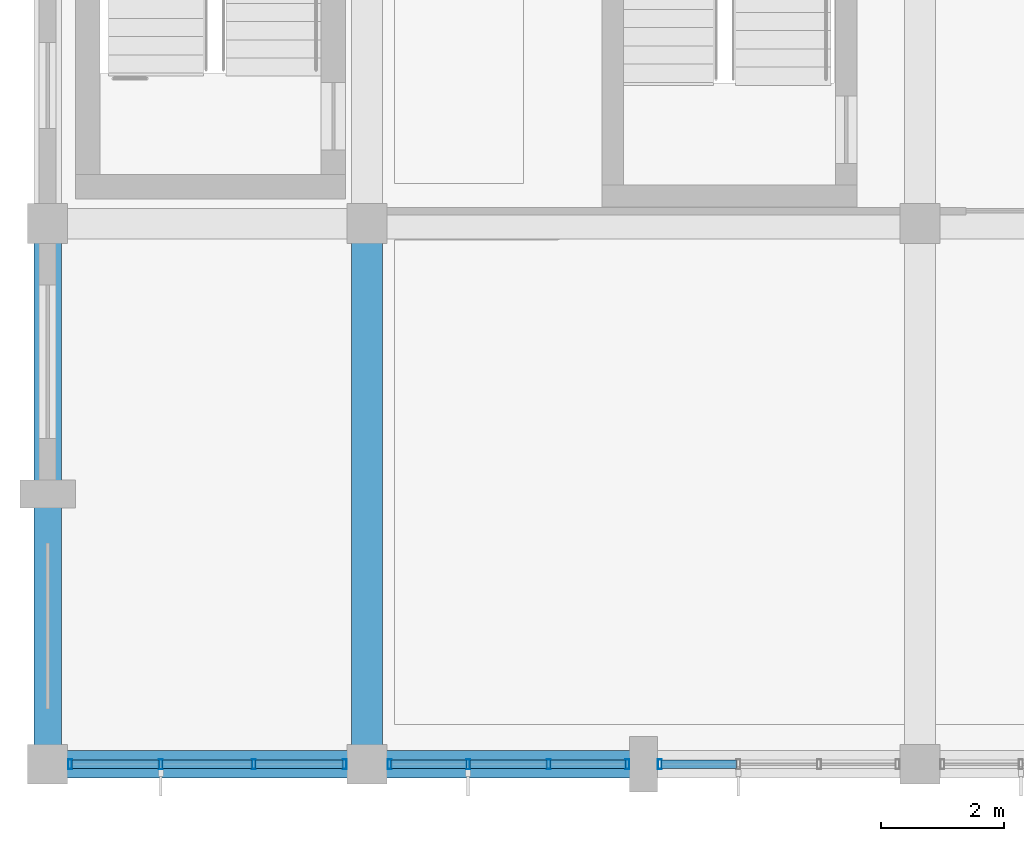
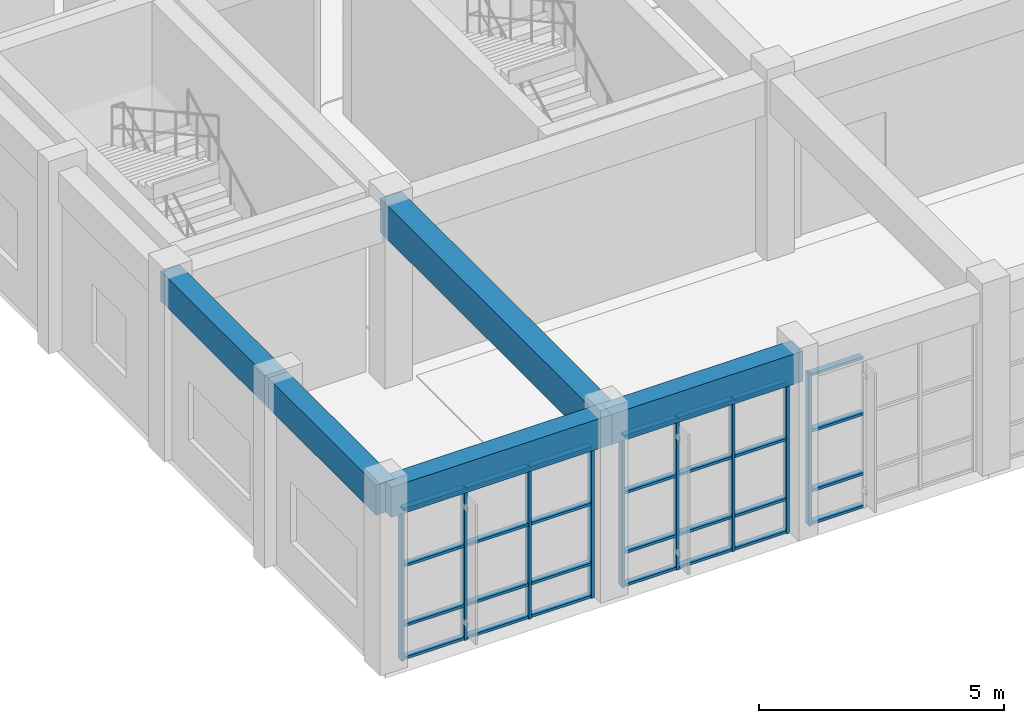
# One storey, part 8 of 104: 37 members, 5 beams, 3 elements without a shape of their own.
"""IFC4 building model written with IfcOpenShell, lengths in metres."""

import ifcopenshell
import ifcopenshell.guid

model = None  # the IFC model being written
_history = None  # IfcOwnerHistory: only IFC2X3 demands one
_inside = {}  # id of a spatial element -> (the spatial element, [elements in it])
_under = {}  # id of a project, library or spatial element -> (it, [spatial elements below it])
_declared = {}  # id of a project -> (the project, [libraries it declares])
_typed = {}  # id of a type object -> (the type object, [elements of that type])
_made_of = {}  # id of a material, layer set ... -> (it, [elements and type objects made of it])


def new_model(schema):
    """Start an empty IFC model of exactly this schema.

    Asked for "IFC4X3", IfcOpenShell would pick the latest addendum, in which some entities
    have other attributes; the version numbers below select the first issue.
    IFC2X3 requires an IfcOwnerHistory on every rooted entity: one is made here for all.
    """
    global model, _history
    if schema == "IFC4X3":
        model = ifcopenshell.file(schema_version=(4, 3, 0, 0))
    else:
        model = ifcopenshell.file(schema=schema)
    _inside.clear()
    _under.clear()
    _declared.clear()
    _typed.clear()
    _made_of.clear()
    _history = None
    if model.schema == "IFC2X3":
        org = make("IfcOrganization", Name="unknown")
        user = make(
            "IfcPersonAndOrganization",
            ThePerson=make("IfcPerson", FamilyName="unknown"),
            TheOrganization=org,
        )
        app = make(
            "IfcApplication",
            ApplicationDeveloper=org,
            Version="unknown",
            ApplicationFullName="unknown",
            ApplicationIdentifier="unknown",
        )
        _history = make(
            "IfcOwnerHistory",
            OwningUser=user,
            OwningApplication=app,
            ChangeAction="ADDED",
            CreationDate=0,
        )
    return model


def make(cls, **values):
    """One entity of the class cls with the attributes given. An attribute that is None is left unset."""
    return model.create_entity(
        cls, **{name: value for name, value in values.items() if value is not None}
    )


def rooted(cls, **values):
    """An entity with a GlobalId (a new one), such as an element, a storey or a relation."""
    return make(cls, GlobalId=ifcopenshell.guid.new(), OwnerHistory=_history, **values)


def si_unit(unit_type, name, prefix=None):
    """IfcSIUnit, for example si_unit("LENGTHUNIT", "METRE", prefix="MILLI")."""
    return make("IfcSIUnit", UnitType=unit_type, Prefix=prefix, Name=name)


def assignment(units):
    """IfcUnitAssignment: the units of a project."""
    return None if units is None else make("IfcUnitAssignment", Units=units)


def point(xyz):
    """IfcCartesianPoint."""
    return None if xyz is None else make("IfcCartesianPoint", Coordinates=xyz)


def direction(xyz):
    """IfcDirection."""
    return None if xyz is None else make("IfcDirection", DirectionRatios=xyz)


def frame(location, z_axis=None, x_axis=None):
    """IfcAxis2Placement3D, a coordinate frame: its origin and axes. An axis left out is left unset."""
    return make(
        "IfcAxis2Placement3D",
        Location=point(location),
        Axis=direction(z_axis),
        RefDirection=direction(x_axis),
    )


def frame_2d(location, x_axis=None):
    """IfcAxis2Placement2D, a coordinate frame in the plane: its origin and x axis."""
    return make(
        "IfcAxis2Placement2D", Location=point(location), RefDirection=direction(x_axis)
    )


def origin():
    """The frame at (0, 0, 0) with its axes left unset."""
    return frame((0.0, 0.0, 0.0))


def origin_2d():
    """The frame at (0, 0) in the plane with its x axis left unset."""
    return frame_2d((0.0, 0.0))


def place(relative_to, where):
    """IfcLocalPlacement: puts the frame where relative to a parent placement (None: the world)."""
    return make(
        "IfcLocalPlacement", PlacementRelTo=relative_to, RelativePlacement=where
    )


def context(
    kind, dimensions, precision=None, world=None, true_north=None, identifier=None
):
    """IfcGeometricRepresentationContext, for example the 3D "Model" context."""
    return make(
        "IfcGeometricRepresentationContext",
        ContextIdentifier=identifier,
        ContextType=kind,
        CoordinateSpaceDimension=dimensions,
        Precision=precision,
        WorldCoordinateSystem=world,
        TrueNorth=true_north,
    )


def subcontext(parent, identifier, kind, view, scale=None):
    """IfcGeometricRepresentationSubContext, for example "Body" below "Model"."""
    return make(
        "IfcGeometricRepresentationSubContext",
        ContextIdentifier=identifier,
        ContextType=kind,
        ParentContext=parent,
        TargetScale=scale,
        TargetView=view,
    )


def project(units=None, contexts=None):
    """IfcProject with its units and contexts."""
    return rooted(
        "IfcProject",
        Name="project",
        RepresentationContexts=contexts,
        UnitsInContext=assignment(units),
    )


def spatial(cls, under=None, at=None, **own):
    """A site, building, storey or space (cls), placed at a placement, below another one or the project."""
    s = rooted(cls, ObjectPlacement=at, **own)
    if under is not None:
        _under.setdefault(under.id(), (under, []))[1].append(s)
    return s


def profile(cls, at=None, kind="AREA", **sizes):
    """A parametric profile (cls). Its sizes go by their IFC names, for example OverallWidth=200.0."""
    return make(cls, ProfileType=kind, Position=at, **sizes)


def rectangle(**sizes):
    """IfcRectangleProfileDef."""
    return profile("IfcRectangleProfileDef", **sizes)


def hollow_rectangle(**sizes):
    """IfcRectangleHollowProfileDef."""
    return profile("IfcRectangleHollowProfileDef", **sizes)


def extrude(swept, where, along, depth):
    """IfcExtrudedAreaSolid: the profile swept, set in the frame where, extruded along a direction by depth."""
    return make(
        "IfcExtrudedAreaSolid",
        SweptArea=swept,
        Position=where,
        ExtrudedDirection=direction(along),
        Depth=depth,
    )


def shape(context_of_items, identifier, shape_type, items):
    """IfcShapeRepresentation: the items that make up one representation, for example the "Body"."""
    return make(
        "IfcShapeRepresentation",
        ContextOfItems=context_of_items,
        RepresentationIdentifier=identifier,
        RepresentationType=shape_type,
        Items=items,
    )


def material(Name=None, Category=None):
    """IfcMaterial."""
    return make("IfcMaterial", Name=Name, Category=Category)


def layer(
    of_material, thickness, ventilated=None, Name=None, Category=None, Priority=None
):
    """IfcMaterialLayer: one layer of a wall or slab, of a material (None: an air gap)."""
    return make(
        "IfcMaterialLayer",
        Material=of_material,
        LayerThickness=thickness,
        IsVentilated=ventilated,
        Name=Name,
        Category=Category,
        Priority=Priority,
    )


def layer_set(layers, Name=None):
    """IfcMaterialLayerSet."""
    return make("IfcMaterialLayerSet", MaterialLayers=layers, LayerSetName=Name)


def material_profile(
    of_material, cross_section, Name=None, Category=None, Priority=None
):
    """IfcMaterialProfile: a cross section and its material."""
    return make(
        "IfcMaterialProfile",
        Name=Name,
        Material=of_material,
        Profile=cross_section,
        Priority=Priority,
        Category=Category,
    )


def profile_set(profiles, Name=None, composite=None):
    """IfcMaterialProfileSet."""
    return make(
        "IfcMaterialProfileSet",
        Name=Name,
        MaterialProfiles=profiles,
        CompositeProfile=composite,
    )


def made_of(thing, what):
    """Note that an element or type object is made of a material, layer set ...; save() writes the relation."""
    if what is not None:
        _made_of.setdefault(what.id(), (what, []))[1].append(thing)
    return thing


def type_object(cls, material=None, **own):
    """A type object (cls), such as IfcWallType, which elements share."""
    return made_of(rooted(cls, **own), material)


def element(
    cls,
    number,
    at=None,
    inside=None,
    cuts=None,
    type_object=None,
    material=None,
    context=None,
    identifier="Body",
    shape_type=None,
    held_by="IfcProductDefinitionShape",
    body=None,
    shapes=None,
    **own,
):
    """One element of the class cls, such as IfcWall. Its Tag is "e" and its number.

    at: its placement. inside: the storey or other place that contains it. cuts: it is an
    opening in that element (IfcRelVoidsElement). A single representation is given by context,
    identifier, shape_type and body (its items); several are given by shapes. held_by: the class
    of the entity that holds the representations. save() writes the other relations.
    """
    e = rooted(cls, Tag="e%d" % number, ObjectPlacement=at, **own)
    if body is not None:
        shapes = [shape(context, identifier, shape_type, body)]
    if shapes is not None:
        e.Representation = make(held_by, Representations=shapes)
    if inside is not None:
        _inside.setdefault(inside.id(), (inside, []))[1].append(e)
    if cuts is not None:
        rooted(
            "IfcRelVoidsElement", RelatingBuildingElement=cuts, RelatedOpeningElement=e
        )
    if type_object is not None:
        _typed.setdefault(type_object.id(), (type_object, []))[1].append(e)
    return made_of(e, material)


def aggregate(whole, parts):
    """IfcRelAggregates: a whole, such as a stair, and the parts it consists of."""
    return rooted("IfcRelAggregates", RelatingObject=whole, RelatedObjects=parts)


def save(model, path):
    """Write the relations noted so far, then the file.

    IfcRelAggregates (storeys below a building ...), IfcRelContainedInSpatialStructure (elements
    in a storey), IfcRelDefinesByType, IfcRelAssociatesMaterial and IfcRelDeclares: one each for
    every whole, place, type object, material and project.
    """
    for whole, parts in _under.values():
        aggregate(whole, parts)
    for where, things in _inside.values():
        rooted(
            "IfcRelContainedInSpatialStructure",
            RelatedElements=things,
            RelatingStructure=where,
        )
    for kind, things in _typed.values():
        rooted("IfcRelDefinesByType", RelatedObjects=things, RelatingType=kind)
    for what, things in _made_of.values():
        rooted("IfcRelAssociatesMaterial", RelatedObjects=things, RelatingMaterial=what)
    for by, libraries in _declared.values():
        rooted("IfcRelDeclares", RelatingContext=by, RelatedDefinitions=libraries)
    model.write(path)


model = new_model("IFC4")

# Units and contexts
model_context = context("Model", 3, precision=1e-05, world=origin(), true_north=direction((0.0, 1.0)))
body_context = subcontext(model_context, "Body", "Model", "MODEL_VIEW")
ifc_project = project(units=[si_unit("LENGTHUNIT", "METRE"), si_unit("AREAUNIT", "SQUARE_METRE"), si_unit("VOLUMEUNIT", "CUBIC_METRE"), si_unit("PLANEANGLEUNIT", "RADIAN"), si_unit("MASSUNIT", "GRAM", prefix="KILO")], contexts=[model_context])

# Site, building, storey
site_placement = place(None, origin())
site = spatial("IfcSite", under=ifc_project, at=site_placement, CompositionType="ELEMENT")
building_placement = place(site_placement, origin())
building = spatial("IfcBuilding", under=site, at=building_placement, Name="Ventoquebrada Cableway Terminal", CompositionType="ELEMENT")
storey_placement = place(building_placement, frame((0.0, 0.0, 4.800048828125)))
storey = spatial("IfcBuildingStorey", under=building, at=storey_placement, Name="L01", CompositionType="ELEMENT", Elevation=4.800048828125)

# Beam
ifc_material_1 = material(Name="Concrete C40/50", Category="concrete")
ifc_material_profile_1 = material_profile(ifc_material_1, rectangle(XDim=0.5, YDim=0.85009765625, at=origin_2d()), Name="RC-BM-500X850")
ifc_profile_set_1 = profile_set([ifc_material_profile_1], Name="Concrete C40/50")
beam_type_1 = type_object("IfcBeamType", Name="BM-RC04", PredefinedType="BEAM", material=ifc_profile_set_1)
beam_1_placement = place(storey_placement, frame((8.199951171875, 3.0, 4.10498046875), z_axis=(0.0, 1.0, 0.0), x_axis=(-1.0, 0.0, 0.0)))
element("IfcBeam", 1, at=beam_1_placement, inside=storey, type_object=beam_type_1, Name="Primary frame girder FBM-0180", PredefinedType="BEAM", context=body_context, shape_type="SweptSolid", body=[
    extrude(rectangle(XDim=0.5, YDim=0.85009765625, at=origin_2d()), origin(), (0.0, 0.0, 1.0), 8.800048828125),
])

# Curtain wall, members
ifc_material_2 = material(Name="Anodized thermally-broken aluminium", Category="aluminium")
ifc_layer_1 = layer(ifc_material_2, 0.159912109375)
ifc_layer_set_1 = layer_set([ifc_layer_1], Name="Anodized thermally-broken aluminium")
curtain_wall_type_1 = type_object("IfcCurtainWallType", Name="CW-T05", PredefinedType="USERDEFINED", material=ifc_layer_set_1)
curtain_wall_1_placement = place(storey_placement, origin())
curtain_wall_1 = element("IfcCurtainWall", 2, at=curtain_wall_1_placement, inside=storey, type_object=curtain_wall_type_1, Name="Unitised glazed curtain wall CW-009", ObjectType="UNITISED CURTAIN WALL", PredefinedType="USERDEFINED")
ifc_material_profile_2 = material_profile(ifc_material_2, hollow_rectangle(XDim=0.06494140625, YDim=0.159912109375, WallThickness=0.00390625, at=origin_2d()), Name="CW-MUL-65X160")
ifc_profile_set_2 = profile_set([ifc_material_profile_2], Name="Anodized thermally-broken aluminium")
member_type_1 = type_object("IfcMemberType", Name="CWM-01", PredefinedType="MULLION", material=ifc_profile_set_2)
member_1_placement = place(storey_placement, frame((3.364990234375, 3.0, -0.008056640625), z_axis=(0.0, 0.0, 1.0), x_axis=(1.0, 0.0, 0.0)))
member_1 = element("IfcMember", 3, at=member_1_placement, type_object=member_type_1, Name="Curtain wall mullion FML-0036", PredefinedType="MULLION", context=body_context, shape_type="SweptSolid", body=[
    extrude(hollow_rectangle(XDim=0.06494140625, YDim=0.159912109375, WallThickness=0.00390625, at=origin_2d()), origin(), (0.0, 0.0, 1.0), 3.7880859375),
])
member_2_placement = place(storey_placement, frame((4.843017578125, 3.0, -0.008056640625), z_axis=(0.0, 0.0, 1.0), x_axis=(1.0, 0.0, 0.0)))
member_2 = element("IfcMember", 4, at=member_2_placement, type_object=member_type_1, Name="Curtain wall mullion FML-0037", PredefinedType="MULLION", context=body_context, shape_type="SweptSolid", body=[
    extrude(hollow_rectangle(XDim=0.06494140625, YDim=0.159912109375, WallThickness=0.00390625, at=origin_2d()), origin(), (0.0, 0.0, 1.0), 3.7880859375),
])
member_3_placement = place(storey_placement, frame((6.35693359375, 3.0, -0.008056640625), z_axis=(0.0, 0.0, 1.0), x_axis=(1.0, 0.0, 0.0)))
member_3 = element("IfcMember", 5, at=member_3_placement, type_object=member_type_1, Name="Curtain wall mullion FML-0038", PredefinedType="MULLION", context=body_context, shape_type="SweptSolid", body=[
    extrude(hollow_rectangle(XDim=0.06494140625, YDim=0.159912109375, WallThickness=0.00390625, at=origin_2d()), origin(), (0.0, 0.0, 1.0), 3.7880859375),
])
member_4_placement = place(storey_placement, frame((7.8349609375, 3.0, -0.008056640625), z_axis=(0.0, 0.0, 1.0), x_axis=(1.0, 0.0, 0.0)))
member_4 = element("IfcMember", 6, at=member_4_placement, type_object=member_type_1, Name="Curtain wall mullion FML-0039", PredefinedType="MULLION", context=body_context, shape_type="SweptSolid", body=[
    extrude(hollow_rectangle(XDim=0.06494140625, YDim=0.159912109375, WallThickness=0.00390625, at=origin_2d()), origin(), (0.0, 0.0, 1.0), 3.7880859375),
])

ifc_layer_2 = layer(ifc_material_2, 0.159912109375)
ifc_layer_set_2 = layer_set([ifc_layer_2], Name="Anodized thermally-broken aluminium")
curtain_wall_type_2 = type_object("IfcCurtainWallType", Name="CW-T06", PredefinedType="USERDEFINED", material=ifc_layer_set_2)
curtain_wall_2_placement = place(storey_placement, origin())
curtain_wall_2 = element("IfcCurtainWall", 7, at=curtain_wall_2_placement, inside=storey, type_object=curtain_wall_type_2, Name="Unitised glazed curtain wall CW-010", ObjectType="UNITISED CURTAIN WALL", PredefinedType="USERDEFINED")
member_5_placement = place(storey_placement, frame((8.56494140625, 3.0, -0.008056640625), z_axis=(0.0, 0.0, 1.0), x_axis=(1.0, 0.0, 0.0)))
member_5 = element("IfcMember", 8, at=member_5_placement, type_object=member_type_1, Name="Curtain wall mullion FML-0040", PredefinedType="MULLION", context=body_context, shape_type="SweptSolid", body=[
    extrude(hollow_rectangle(XDim=0.06494140625, YDim=0.159912109375, WallThickness=0.00390625, at=origin_2d()), origin(), (0.0, 0.0, 1.0), 3.7880859375),
])
member_6_placement = place(storey_placement, frame((9.843017578125, 3.0, -0.008056640625), z_axis=(0.0, 0.0, 1.0), x_axis=(1.0, 0.0, 0.0)))
member_6 = element("IfcMember", 9, at=member_6_placement, type_object=member_type_1, Name="Curtain wall mullion FML-0041", PredefinedType="MULLION", context=body_context, shape_type="SweptSolid", body=[
    extrude(hollow_rectangle(XDim=0.06494140625, YDim=0.159912109375, WallThickness=0.00390625, at=origin_2d()), origin(), (0.0, 0.0, 1.0), 3.7880859375),
])
member_7_placement = place(storey_placement, frame((11.156982421875, 3.0, -0.008056640625), z_axis=(0.0, 0.0, 1.0), x_axis=(1.0, 0.0, 0.0)))
member_7 = element("IfcMember", 10, at=member_7_placement, type_object=member_type_1, Name="Curtain wall mullion FML-0042", PredefinedType="MULLION", context=body_context, shape_type="SweptSolid", body=[
    extrude(hollow_rectangle(XDim=0.06494140625, YDim=0.159912109375, WallThickness=0.00390625, at=origin_2d()), origin(), (0.0, 0.0, 1.0), 3.7880859375),
])
member_8_placement = place(storey_placement, frame((12.43505859375, 3.0, -0.008056640625), z_axis=(0.0, 0.0, 1.0), x_axis=(1.0, 0.0, 0.0)))
member_8 = element("IfcMember", 11, at=member_8_placement, type_object=member_type_1, Name="Curtain wall mullion FML-0043", PredefinedType="MULLION", context=body_context, shape_type="SweptSolid", body=[
    extrude(hollow_rectangle(XDim=0.06494140625, YDim=0.159912109375, WallThickness=0.00390625, at=origin_2d()), origin(), (0.0, 0.0, 1.0), 3.7880859375),
])

# Curtain wall, member
curtain_wall_3_placement = place(storey_placement, origin())
curtain_wall_3 = element("IfcCurtainWall", 12, at=curtain_wall_3_placement, inside=storey, type_object=curtain_wall_type_2, Name="Unitised glazed curtain wall CW-011", ObjectType="UNITISED CURTAIN WALL", PredefinedType="USERDEFINED")
member_9_placement = place(storey_placement, frame((12.965087890625, 3.0, -0.008056640625), z_axis=(0.0, 0.0, 1.0), x_axis=(1.0, 0.0, 0.0)))
member_9 = element("IfcMember", 13, at=member_9_placement, type_object=member_type_1, Name="Curtain wall mullion FML-0044", PredefinedType="MULLION", context=body_context, shape_type="SweptSolid", body=[
    extrude(hollow_rectangle(XDim=0.06494140625, YDim=0.159912109375, WallThickness=0.00390625, at=origin_2d()), origin(), (0.0, 0.0, 1.0), 3.7880859375),
])

# Member
ifc_material_profile_3 = material_profile(ifc_material_2, hollow_rectangle(XDim=0.06494140625, YDim=0.139892578125, WallThickness=0.00390625, at=origin_2d()), Name="CW-TRN-65X140")
ifc_profile_set_3 = profile_set([ifc_material_profile_3], Name="Anodized thermally-broken aluminium")
member_type_2 = type_object("IfcMemberType", Name="CWT-01", PredefinedType="USERDEFINED", material=ifc_profile_set_3)
member_10_placement = place(storey_placement, frame((3.39306640625, 3.0, 0.034912109375), z_axis=(1.0, 0.0, 0.0), x_axis=(0.0, 0.0, 1.0)))
member_10 = element("IfcMember", 14, at=member_10_placement, type_object=member_type_2, Name="Curtain wall transom FTR-0100", ObjectType="TRANSOM", PredefinedType="USERDEFINED", context=body_context, shape_type="SweptSolid", body=[
    extrude(hollow_rectangle(XDim=0.06494140625, YDim=0.139892578125, WallThickness=0.00390625, at=origin_2d()), origin(), (0.0, 0.0, 1.0), 1.4228515625),
])

member_11_placement = place(storey_placement, frame((3.39306640625, 3.0, 0.849853515625), z_axis=(1.0, 0.0, 0.0), x_axis=(0.0, 0.0, 1.0)))
member_11 = element("IfcMember", 15, at=member_11_placement, type_object=member_type_2, Name="Curtain wall transom FTR-0101", ObjectType="TRANSOM", PredefinedType="USERDEFINED", context=body_context, shape_type="SweptSolid", body=[
    extrude(hollow_rectangle(XDim=0.06494140625, YDim=0.139892578125, WallThickness=0.00390625, at=origin_2d()), origin(), (0.0, 0.0, 1.0), 1.4228515625),
])

member_12_placement = place(storey_placement, frame((3.39306640625, 3.0, 2.33984375), z_axis=(1.0, 0.0, 0.0), x_axis=(0.0, 0.0, 1.0)))
member_12 = element("IfcMember", 16, at=member_12_placement, type_object=member_type_2, Name="Curtain wall transom FTR-0102", ObjectType="TRANSOM", PredefinedType="USERDEFINED", context=body_context, shape_type="SweptSolid", body=[
    extrude(hollow_rectangle(XDim=0.06494140625, YDim=0.139892578125, WallThickness=0.00390625, at=origin_2d()), origin(), (0.0, 0.0, 1.0), 1.4228515625),
])

member_13_placement = place(storey_placement, frame((3.39306640625, 3.0, 3.739990234375), z_axis=(1.0, 0.0, 0.0), x_axis=(0.0, 0.0, 1.0)))
member_13 = element("IfcMember", 17, at=member_13_placement, type_object=member_type_2, Name="Curtain wall transom FTR-0103", ObjectType="TRANSOM", PredefinedType="USERDEFINED", context=body_context, shape_type="SweptSolid", body=[
    extrude(hollow_rectangle(XDim=0.06494140625, YDim=0.139892578125, WallThickness=0.00390625, at=origin_2d()), origin(), (0.0, 0.0, 1.0), 1.4228515625),
])

member_14_placement = place(storey_placement, frame((4.87109375, 3.0, 0.034912109375), z_axis=(1.0, 0.0, 0.0), x_axis=(0.0, 0.0, 1.0)))
member_14 = element("IfcMember", 18, at=member_14_placement, type_object=member_type_2, Name="Curtain wall transom FTR-0104", ObjectType="TRANSOM", PredefinedType="USERDEFINED", context=body_context, shape_type="SweptSolid", body=[
    extrude(hollow_rectangle(XDim=0.06494140625, YDim=0.139892578125, WallThickness=0.00390625, at=origin_2d()), origin(), (0.0, 0.0, 1.0), 1.4580078125),
])

member_15_placement = place(storey_placement, frame((4.87109375, 3.0, 0.849853515625), z_axis=(1.0, 0.0, 0.0), x_axis=(0.0, 0.0, 1.0)))
member_15 = element("IfcMember", 19, at=member_15_placement, type_object=member_type_2, Name="Curtain wall transom FTR-0105", ObjectType="TRANSOM", PredefinedType="USERDEFINED", context=body_context, shape_type="SweptSolid", body=[
    extrude(hollow_rectangle(XDim=0.06494140625, YDim=0.139892578125, WallThickness=0.00390625, at=origin_2d()), origin(), (0.0, 0.0, 1.0), 1.4580078125),
])

member_16_placement = place(storey_placement, frame((4.87109375, 3.0, 2.33984375), z_axis=(1.0, 0.0, 0.0), x_axis=(0.0, 0.0, 1.0)))
member_16 = element("IfcMember", 20, at=member_16_placement, type_object=member_type_2, Name="Curtain wall transom FTR-0106", ObjectType="TRANSOM", PredefinedType="USERDEFINED", context=body_context, shape_type="SweptSolid", body=[
    extrude(hollow_rectangle(XDim=0.06494140625, YDim=0.139892578125, WallThickness=0.00390625, at=origin_2d()), origin(), (0.0, 0.0, 1.0), 1.4580078125),
])

member_17_placement = place(storey_placement, frame((4.87109375, 3.0, 3.739990234375), z_axis=(1.0, 0.0, 0.0), x_axis=(0.0, 0.0, 1.0)))
member_17 = element("IfcMember", 21, at=member_17_placement, type_object=member_type_2, Name="Curtain wall transom FTR-0107", ObjectType="TRANSOM", PredefinedType="USERDEFINED", context=body_context, shape_type="SweptSolid", body=[
    extrude(hollow_rectangle(XDim=0.06494140625, YDim=0.139892578125, WallThickness=0.00390625, at=origin_2d()), origin(), (0.0, 0.0, 1.0), 1.4580078125),
])

member_18_placement = place(storey_placement, frame((6.384033203125, 3.0, 0.034912109375), z_axis=(1.0, 0.0, 0.0), x_axis=(0.0, 0.0, 1.0)))
member_18 = element("IfcMember", 22, at=member_18_placement, type_object=member_type_2, Name="Curtain wall transom FTR-0108", ObjectType="TRANSOM", PredefinedType="USERDEFINED", context=body_context, shape_type="SweptSolid", body=[
    extrude(hollow_rectangle(XDim=0.06494140625, YDim=0.139892578125, WallThickness=0.00390625, at=origin_2d()), origin(), (0.0, 0.0, 1.0), 1.424072265625),
])

member_19_placement = place(storey_placement, frame((6.384033203125, 3.0, 0.849853515625), z_axis=(1.0, 0.0, 0.0), x_axis=(0.0, 0.0, 1.0)))
member_19 = element("IfcMember", 23, at=member_19_placement, type_object=member_type_2, Name="Curtain wall transom FTR-0109", ObjectType="TRANSOM", PredefinedType="USERDEFINED", context=body_context, shape_type="SweptSolid", body=[
    extrude(hollow_rectangle(XDim=0.06494140625, YDim=0.139892578125, WallThickness=0.00390625, at=origin_2d()), origin(), (0.0, 0.0, 1.0), 1.424072265625),
])

member_20_placement = place(storey_placement, frame((6.384033203125, 3.0, 2.33984375), z_axis=(1.0, 0.0, 0.0), x_axis=(0.0, 0.0, 1.0)))
member_20 = element("IfcMember", 24, at=member_20_placement, type_object=member_type_2, Name="Curtain wall transom FTR-0110", ObjectType="TRANSOM", PredefinedType="USERDEFINED", context=body_context, shape_type="SweptSolid", body=[
    extrude(hollow_rectangle(XDim=0.06494140625, YDim=0.139892578125, WallThickness=0.00390625, at=origin_2d()), origin(), (0.0, 0.0, 1.0), 1.424072265625),
])

member_21_placement = place(storey_placement, frame((6.384033203125, 3.0, 3.739990234375), z_axis=(1.0, 0.0, 0.0), x_axis=(0.0, 0.0, 1.0)))
member_21 = element("IfcMember", 25, at=member_21_placement, type_object=member_type_2, Name="Curtain wall transom FTR-0111", ObjectType="TRANSOM", PredefinedType="USERDEFINED", context=body_context, shape_type="SweptSolid", body=[
    extrude(hollow_rectangle(XDim=0.06494140625, YDim=0.139892578125, WallThickness=0.00390625, at=origin_2d()), origin(), (0.0, 0.0, 1.0), 1.424072265625),
])

aggregate(curtain_wall_1, [member_1, member_2, member_3, member_4, member_10, member_11, member_12, member_13, member_14, member_15, member_16, member_17, member_18, member_19, member_20, member_21])

member_22_placement = place(storey_placement, frame((8.592041015625, 3.0, 0.034912109375), z_axis=(1.0, 0.0, 0.0), x_axis=(0.0, 0.0, 1.0)))
member_22 = element("IfcMember", 26, at=member_22_placement, type_object=member_type_2, Name="Curtain wall transom FTR-0112", ObjectType="TRANSOM", PredefinedType="USERDEFINED", context=body_context, shape_type="SweptSolid", body=[
    extrude(hollow_rectangle(XDim=0.06494140625, YDim=0.139892578125, WallThickness=0.00390625, at=origin_2d()), origin(), (0.0, 0.0, 1.0), 1.223876953125),
])

member_23_placement = place(storey_placement, frame((8.592041015625, 3.0, 0.849853515625), z_axis=(1.0, 0.0, 0.0), x_axis=(0.0, 0.0, 1.0)))
member_23 = element("IfcMember", 27, at=member_23_placement, type_object=member_type_2, Name="Curtain wall transom FTR-0113", ObjectType="TRANSOM", PredefinedType="USERDEFINED", context=body_context, shape_type="SweptSolid", body=[
    extrude(hollow_rectangle(XDim=0.06494140625, YDim=0.139892578125, WallThickness=0.00390625, at=origin_2d()), origin(), (0.0, 0.0, 1.0), 1.223876953125),
])

member_24_placement = place(storey_placement, frame((8.592041015625, 3.0, 2.33984375), z_axis=(1.0, 0.0, 0.0), x_axis=(0.0, 0.0, 1.0)))
member_24 = element("IfcMember", 28, at=member_24_placement, type_object=member_type_2, Name="Curtain wall transom FTR-0114", ObjectType="TRANSOM", PredefinedType="USERDEFINED", context=body_context, shape_type="SweptSolid", body=[
    extrude(hollow_rectangle(XDim=0.06494140625, YDim=0.139892578125, WallThickness=0.00390625, at=origin_2d()), origin(), (0.0, 0.0, 1.0), 1.223876953125),
])

member_25_placement = place(storey_placement, frame((8.592041015625, 3.0, 3.739990234375), z_axis=(1.0, 0.0, 0.0), x_axis=(0.0, 0.0, 1.0)))
member_25 = element("IfcMember", 29, at=member_25_placement, type_object=member_type_2, Name="Curtain wall transom FTR-0115", ObjectType="TRANSOM", PredefinedType="USERDEFINED", context=body_context, shape_type="SweptSolid", body=[
    extrude(hollow_rectangle(XDim=0.06494140625, YDim=0.139892578125, WallThickness=0.00390625, at=origin_2d()), origin(), (0.0, 0.0, 1.0), 1.223876953125),
])

member_26_placement = place(storey_placement, frame((9.87109375, 3.0, 0.034912109375), z_axis=(1.0, 0.0, 0.0), x_axis=(0.0, 0.0, 1.0)))
member_26 = element("IfcMember", 30, at=member_26_placement, type_object=member_type_2, Name="Curtain wall transom FTR-0116", ObjectType="TRANSOM", PredefinedType="USERDEFINED", context=body_context, shape_type="SweptSolid", body=[
    extrude(hollow_rectangle(XDim=0.06494140625, YDim=0.139892578125, WallThickness=0.00390625, at=origin_2d()), origin(), (0.0, 0.0, 1.0), 1.2578125),
])

member_27_placement = place(storey_placement, frame((9.87109375, 3.0, 0.849853515625), z_axis=(1.0, 0.0, 0.0), x_axis=(0.0, 0.0, 1.0)))
member_27 = element("IfcMember", 31, at=member_27_placement, type_object=member_type_2, Name="Curtain wall transom FTR-0117", ObjectType="TRANSOM", PredefinedType="USERDEFINED", context=body_context, shape_type="SweptSolid", body=[
    extrude(hollow_rectangle(XDim=0.06494140625, YDim=0.139892578125, WallThickness=0.00390625, at=origin_2d()), origin(), (0.0, 0.0, 1.0), 1.2578125),
])

member_28_placement = place(storey_placement, frame((9.87109375, 3.0, 2.33984375), z_axis=(1.0, 0.0, 0.0), x_axis=(0.0, 0.0, 1.0)))
member_28 = element("IfcMember", 32, at=member_28_placement, type_object=member_type_2, Name="Curtain wall transom FTR-0118", ObjectType="TRANSOM", PredefinedType="USERDEFINED", context=body_context, shape_type="SweptSolid", body=[
    extrude(hollow_rectangle(XDim=0.06494140625, YDim=0.139892578125, WallThickness=0.00390625, at=origin_2d()), origin(), (0.0, 0.0, 1.0), 1.2578125),
])

member_29_placement = place(storey_placement, frame((9.87109375, 3.0, 3.739990234375), z_axis=(1.0, 0.0, 0.0), x_axis=(0.0, 0.0, 1.0)))
member_29 = element("IfcMember", 33, at=member_29_placement, type_object=member_type_2, Name="Curtain wall transom FTR-0119", ObjectType="TRANSOM", PredefinedType="USERDEFINED", context=body_context, shape_type="SweptSolid", body=[
    extrude(hollow_rectangle(XDim=0.06494140625, YDim=0.139892578125, WallThickness=0.00390625, at=origin_2d()), origin(), (0.0, 0.0, 1.0), 1.2578125),
])

member_30_placement = place(storey_placement, frame((11.18408203125, 3.0, 0.034912109375), z_axis=(1.0, 0.0, 0.0), x_axis=(0.0, 0.0, 1.0)))
member_30 = element("IfcMember", 34, at=member_30_placement, type_object=member_type_2, Name="Curtain wall transom FTR-0120", ObjectType="TRANSOM", PredefinedType="USERDEFINED", context=body_context, shape_type="SweptSolid", body=[
    extrude(hollow_rectangle(XDim=0.06494140625, YDim=0.139892578125, WallThickness=0.00390625, at=origin_2d()), origin(), (0.0, 0.0, 1.0), 1.223876953125),
])

member_31_placement = place(storey_placement, frame((11.18408203125, 3.0, 0.849853515625), z_axis=(1.0, 0.0, 0.0), x_axis=(0.0, 0.0, 1.0)))
member_31 = element("IfcMember", 35, at=member_31_placement, type_object=member_type_2, Name="Curtain wall transom FTR-0121", ObjectType="TRANSOM", PredefinedType="USERDEFINED", context=body_context, shape_type="SweptSolid", body=[
    extrude(hollow_rectangle(XDim=0.06494140625, YDim=0.139892578125, WallThickness=0.00390625, at=origin_2d()), origin(), (0.0, 0.0, 1.0), 1.223876953125),
])

member_32_placement = place(storey_placement, frame((11.18408203125, 3.0, 2.33984375), z_axis=(1.0, 0.0, 0.0), x_axis=(0.0, 0.0, 1.0)))
member_32 = element("IfcMember", 36, at=member_32_placement, type_object=member_type_2, Name="Curtain wall transom FTR-0122", ObjectType="TRANSOM", PredefinedType="USERDEFINED", context=body_context, shape_type="SweptSolid", body=[
    extrude(hollow_rectangle(XDim=0.06494140625, YDim=0.139892578125, WallThickness=0.00390625, at=origin_2d()), origin(), (0.0, 0.0, 1.0), 1.223876953125),
])

member_33_placement = place(storey_placement, frame((11.18408203125, 3.0, 3.739990234375), z_axis=(1.0, 0.0, 0.0), x_axis=(0.0, 0.0, 1.0)))
member_33 = element("IfcMember", 37, at=member_33_placement, type_object=member_type_2, Name="Curtain wall transom FTR-0123", ObjectType="TRANSOM", PredefinedType="USERDEFINED", context=body_context, shape_type="SweptSolid", body=[
    extrude(hollow_rectangle(XDim=0.06494140625, YDim=0.139892578125, WallThickness=0.00390625, at=origin_2d()), origin(), (0.0, 0.0, 1.0), 1.223876953125),
])

aggregate(curtain_wall_2, [member_5, member_6, member_7, member_8, member_22, member_23, member_24, member_25, member_26, member_27, member_28, member_29, member_30, member_31, member_32, member_33])

member_34_placement = place(storey_placement, frame((12.991943359375, 3.0, 0.034912109375), z_axis=(1.0, 0.0, 0.0), x_axis=(0.0, 0.0, 1.0)))
member_34 = element("IfcMember", 38, at=member_34_placement, type_object=member_type_2, Name="Curtain wall transom FTR-0124", ObjectType="TRANSOM", PredefinedType="USERDEFINED", context=body_context, shape_type="SweptSolid", body=[
    extrude(hollow_rectangle(XDim=0.06494140625, YDim=0.139892578125, WallThickness=0.00390625, at=origin_2d()), origin(), (0.0, 0.0, 1.0), 1.22412109375),
])

member_35_placement = place(storey_placement, frame((12.991943359375, 3.0, 0.849853515625), z_axis=(1.0, 0.0, 0.0), x_axis=(0.0, 0.0, 1.0)))
member_35 = element("IfcMember", 39, at=member_35_placement, type_object=member_type_2, Name="Curtain wall transom FTR-0125", ObjectType="TRANSOM", PredefinedType="USERDEFINED", context=body_context, shape_type="SweptSolid", body=[
    extrude(hollow_rectangle(XDim=0.06494140625, YDim=0.139892578125, WallThickness=0.00390625, at=origin_2d()), origin(), (0.0, 0.0, 1.0), 1.22412109375),
])

member_36_placement = place(storey_placement, frame((12.991943359375, 3.0, 2.33984375), z_axis=(1.0, 0.0, 0.0), x_axis=(0.0, 0.0, 1.0)))
member_36 = element("IfcMember", 40, at=member_36_placement, type_object=member_type_2, Name="Curtain wall transom FTR-0126", ObjectType="TRANSOM", PredefinedType="USERDEFINED", context=body_context, shape_type="SweptSolid", body=[
    extrude(hollow_rectangle(XDim=0.06494140625, YDim=0.139892578125, WallThickness=0.00390625, at=origin_2d()), origin(), (0.0, 0.0, 1.0), 1.22412109375),
])

member_37_placement = place(storey_placement, frame((12.991943359375, 3.0, 3.739990234375), z_axis=(1.0, 0.0, 0.0), x_axis=(0.0, 0.0, 1.0)))
member_37 = element("IfcMember", 41, at=member_37_placement, type_object=member_type_2, Name="Curtain wall transom FTR-0127", ObjectType="TRANSOM", PredefinedType="USERDEFINED", context=body_context, shape_type="SweptSolid", body=[
    extrude(hollow_rectangle(XDim=0.06494140625, YDim=0.139892578125, WallThickness=0.00390625, at=origin_2d()), origin(), (0.0, 0.0, 1.0), 1.22412109375),
])

aggregate(curtain_wall_3, [member_9, member_34, member_35, member_36, member_37])

# Beams
ifc_material_profile_4 = material_profile(ifc_material_1, rectangle(XDim=0.449951171875, YDim=0.75, at=origin_2d()), Name="RC-BM-450X750")
ifc_profile_set_4 = profile_set([ifc_material_profile_4], Name="Concrete C40/50")
beam_type_2 = type_object("IfcBeamType", Name="SP-RC02", PredefinedType="SPANDREL", material=ifc_profile_set_4)
beam_2_placement = place(storey_placement, frame((3.0, 3.0, 4.155029296875), z_axis=(1.0, 0.0, 0.0), x_axis=(0.0, 1.0, 0.0)))
element("IfcBeam", 42, at=beam_2_placement, inside=storey, type_object=beam_type_2, Name="Perimeter spandrel beam FBM-0145", PredefinedType="SPANDREL", context=body_context, shape_type="SweptSolid", body=[
    extrude(rectangle(XDim=0.449951171875, YDim=0.75, at=origin_2d()), origin(), (0.0, 0.0, 1.0), 5.199951171875),
])
beam_3_placement = place(storey_placement, frame((8.199951171875, 3.0, 4.155029296875), z_axis=(1.0, 0.0, 0.0), x_axis=(0.0, 1.0, 0.0)))
element("IfcBeam", 43, at=beam_3_placement, inside=storey, type_object=beam_type_2, Name="Perimeter spandrel beam FBM-0146", PredefinedType="SPANDREL", context=body_context, shape_type="SweptSolid", body=[
    extrude(rectangle(XDim=0.449951171875, YDim=0.75, at=origin_2d()), origin(), (0.0, 0.0, 1.0), 4.5),
])
beam_4_placement = place(storey_placement, frame((3.0, 3.0, 4.155029296875), z_axis=(0.0, 1.0, 0.0), x_axis=(-1.0, 0.0, 0.0)))
element("IfcBeam", 44, at=beam_4_placement, inside=storey, type_object=beam_type_2, Name="Perimeter spandrel beam FBM-0172", PredefinedType="SPANDREL", context=body_context, shape_type="SweptSolid", body=[
    extrude(rectangle(XDim=0.449951171875, YDim=0.75, at=origin_2d()), origin(), (0.0, 0.0, 1.0), 4.39990234375),
])
beam_5_placement = place(storey_placement, frame((3.0, 7.39990234375, 4.155029296875), z_axis=(0.0, 1.0, 0.0), x_axis=(-1.0, 0.0, 0.0)))
element("IfcBeam", 45, at=beam_5_placement, inside=storey, type_object=beam_type_2, Name="Perimeter spandrel beam FBM-0173", PredefinedType="SPANDREL", context=body_context, shape_type="SweptSolid", body=[
    extrude(rectangle(XDim=0.449951171875, YDim=0.75, at=origin_2d()), origin(), (0.0, 0.0, 1.0), 4.400146484375),
])

save(model, "model.ifc")
